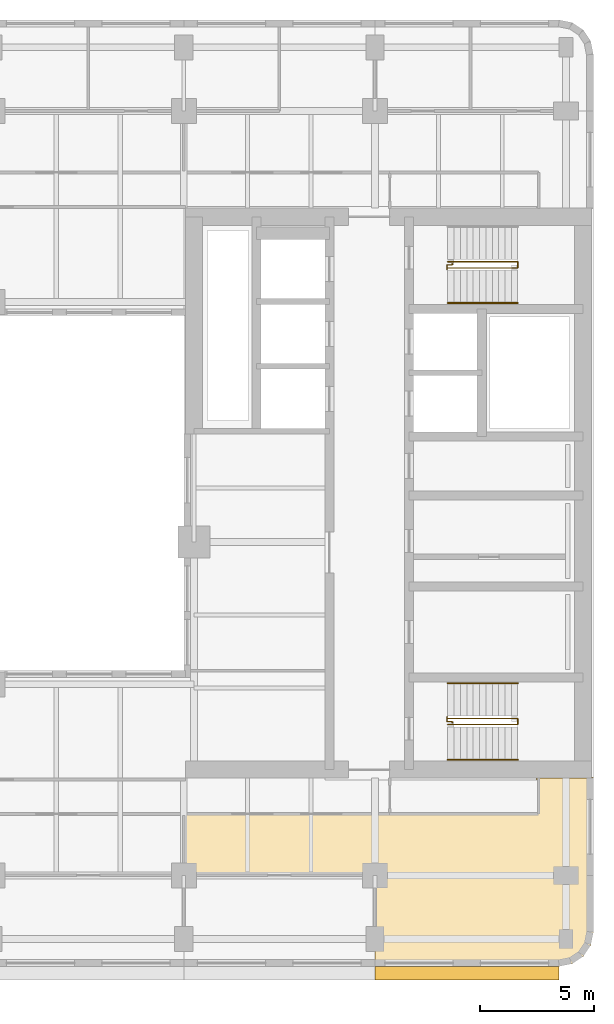
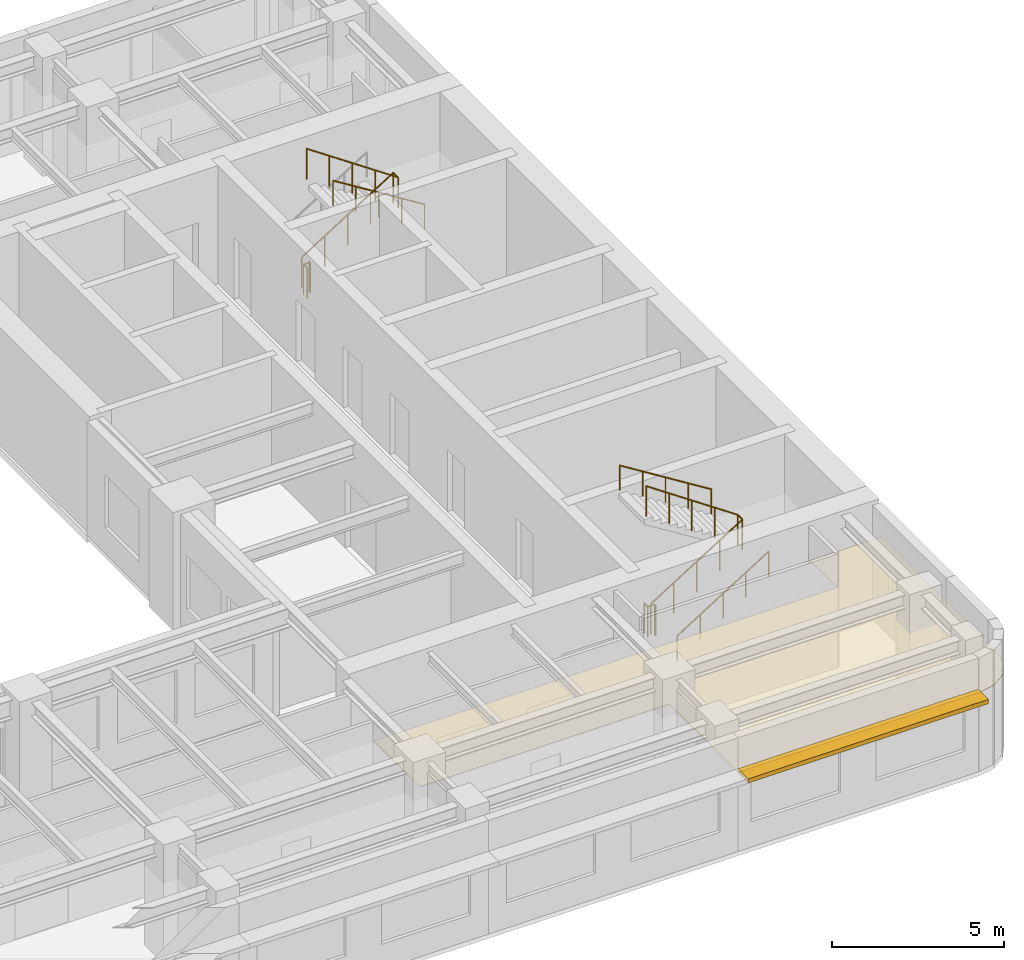
# One storey, part 10 of 11: 7 railings, 1 covering, 1 shading device.
"""IFC4 building model written with IfcOpenShell, lengths in metres."""

from ifc_helpers import new_model, si_unit, direction, frame, origin, origin_2d, place, context, subcontext, project, spatial, polyline, rectangle, circle, outline, extrude, material, layer, layer_set, type_object, element, save


model = new_model("IFC4")

# Units and contexts
model_context = context("Model", 3, precision=1e-05, world=origin(), true_north=direction((0.0, 1.0)))
body_context = subcontext(model_context, "Body", "Model", "MODEL_VIEW")
ifc_project = project(units=[si_unit("LENGTHUNIT", "METRE"), si_unit("AREAUNIT", "SQUARE_METRE"), si_unit("VOLUMEUNIT", "CUBIC_METRE"), si_unit("PLANEANGLEUNIT", "RADIAN"), si_unit("MASSUNIT", "GRAM", prefix="KILO")], contexts=[model_context])

# Site, building, storey
site_placement = place(None, origin())
site = spatial("IfcSite", under=ifc_project, at=site_placement, CompositionType="ELEMENT")
building_placement = place(site_placement, origin())
building = spatial("IfcBuilding", under=site, at=building_placement, Name="Claustro Exchange Tower", CompositionType="ELEMENT")
storey_placement = place(building_placement, frame((0.0, 0.0, 202.800048828125)))
storey = spatial("IfcBuildingStorey", under=building, at=storey_placement, Name="L46", CompositionType="ELEMENT", Elevation=202.800048828125)

# Covering
ifc_material_1 = material(Name="Gypsum board ceiling", Category="gypsum board")
ifc_layer_1 = layer(ifc_material_1, 0.02490234375)
ifc_layer_set_1 = layer_set([ifc_layer_1], Name="Gypsum board ceiling")
covering_type = type_object("IfcCoveringType", Name="CL2 plasterboard ceiling", PredefinedType="CEILING", material=ifc_layer_set_1)
covering_placement = place(storey_placement, frame((0.0, 0.0, 2.800048828125)))
element("IfcCovering", 1, at=covering_placement, inside=storey, type_object=covering_type, Name="Ceiling CL2 L46-08", PredefinedType="CEILING", context=body_context, shape_type="SweptSolid", body=[
    extrude(outline(polyline([(51.60009765625, 5.89990234375), (51.60009765625, 12.695068359375), (51.52490234375, 12.695068359375), (51.52490234375, 12.675048828125), (49.10498046875, 12.675048828125), (49.10498046875, 12.60009765625), (49.199951171875, 12.60009765625), (49.199951171875, 11.10009765625), (33.60009765625, 11.10009765625), (33.60009765625, 8.39990234375), (42.0, 8.39990234375), (42.0, 4.39990234375), (50.10009765625, 4.39990234375), (50.674072265625, 4.51416015625), (51.16064453125, 4.83935546875), (51.48583984375, 5.325927734375), (51.60009765625, 5.89990234375)])), origin(), (0.0, 0.0, 1.0), 0.02490234375),
])

# Railings
ifc_material_2 = material(Name="Steel balustrade, painted", Category="steel")
railing_type_1 = type_object("IfcRailingType", Name="GR2 1100 steel stair guard", PredefinedType="GUARDRAIL", material=ifc_material_2)
railing_1_placement = place(storey_placement, frame((45.199951171875, 15.02490234375, 0.175048828125)))
element("IfcRailing", 2, at=railing_1_placement, inside=storey, type_object=railing_type_1, Name="Stair well guard GR2 stair STEA L46", PredefinedType="GUARDRAIL", context=body_context, shape_type="SweptSolid", body=[
    extrude(circle(Radius=0.02392578125, at=origin_2d()), frame((0.0, 0.0, 1.076171875), z_axis=(0.848028513186, 0.0, 0.529950602248), x_axis=(0.0, 1.0, 0.0)), (0.0, 0.0, 1.0), 3.632080078125),
    extrude(circle(Radius=0.02392578125, at=origin_2d()), frame((3.080078125, 0.0, 3.0009765625), z_axis=(0.0, 1.0, 0.0), x_axis=(-1.0, 0.0, 0.0)), (0.0, 0.0, 1.0), 0.275146484375),
    extrude(circle(Radius=0.02392578125, at=origin_2d()), frame((3.080078125, 0.275146484375, 3.0009765625), z_axis=(-0.826221800596, 0.0, 0.563344953133), x_axis=(0.0, -1.0, 0.0)), (0.0, 0.0, 1.0), 3.72802734375),
    extrude(circle(Radius=0.02099609375, at=origin_2d()), origin(), (0.0, 0.0, 1.0), 1.052001953125),
    extrude(circle(Radius=0.02099609375, at=origin_2d()), frame((0.77001953125, 0.0, 0.481201171875)), (0.0, 0.0, 1.0), 1.052001953125),
    extrude(circle(Radius=0.02099609375, at=origin_2d()), frame((1.5400390625, 0.0, 0.96240234375)), (0.0, 0.0, 1.0), 1.052001953125),
    extrude(circle(Radius=0.02099609375, at=origin_2d()), frame((2.31005859375, 0.0, 1.443603515625)), (0.0, 0.0, 1.0), 1.052001953125),
    extrude(circle(Radius=0.02099609375, at=origin_2d()), frame((3.080078125, 0.0, 1.9248046875)), (0.0, 0.0, 1.0), 1.052001953125),
    extrude(circle(Radius=0.02099609375, at=origin_2d()), frame((3.080078125, 0.275146484375, 1.9248046875)), (0.0, 0.0, 1.0), 1.052001953125),
    extrude(circle(Radius=0.02099609375, at=origin_2d()), frame((2.31005859375, 0.275146484375, 2.44970703125)), (0.0, 0.0, 1.0), 1.052001953125),
    extrude(circle(Radius=0.02099609375, at=origin_2d()), frame((1.5400390625, 0.275146484375, 2.974853515625)), (0.0, 0.0, 1.0), 1.052001953125),
    extrude(circle(Radius=0.02099609375, at=origin_2d()), frame((0.77001953125, 0.275146484375, 3.5)), (0.0, 0.0, 1.0), 1.052001953125),
    extrude(circle(Radius=0.02099609375, at=origin_2d()), frame((0.0, 0.275146484375, 4.02490234375)), (0.0, 0.0, 1.0), 1.052001953125),
])
railing_2_placement = place(storey_placement, frame((45.39990234375, 15.094970703125, 0.0)))
element("IfcRailing", 3, at=railing_2_placement, inside=storey, type_object=railing_type_1, Name="Stair guard GR2 STEA L46", PredefinedType="GUARDRAIL", context=body_context, shape_type="SweptSolid", body=[
    extrude(circle(Radius=0.02392578125, at=origin_2d()), frame((0.0, 0.0, 1.076171875), z_axis=(0.0, 1.0, 0.0), x_axis=(-1.0, 0.0, 0.0)), (0.0, 0.0, 1.0), 0.067626953125),
    extrude(circle(Radius=0.02392578125, at=origin_2d()), frame((0.0, 0.067626953125, 1.076171875), z_axis=(-1.0, 0.0, 0.0), x_axis=(0.0, -1.0, 0.0)), (0.0, 0.0, 1.0), 0.224853515625),
    extrude(circle(Radius=0.02392578125, at=origin_2d()), frame((-0.224853515625, 0.067626953125, 1.076171875), z_axis=(0.0, 1.0, 0.0), x_axis=(-1.0, 0.0, 0.0)), (0.0, 0.0, 1.0), 0.21728515625),
    extrude(circle(Radius=0.02099609375, at=origin_2d()), origin(), (0.0, 0.0, 1.0), 1.052001953125),
    extrude(circle(Radius=0.02099609375, at=origin_2d()), frame((0.0, 0.067626953125, 0.0)), (0.0, 0.0, 1.0), 1.052001953125),
    extrude(circle(Radius=0.02099609375, at=origin_2d()), frame((-0.224853515625, 0.067626953125, 0.0)), (0.0, 0.0, 1.0), 1.052001953125),
    extrude(circle(Radius=0.02099609375, at=origin_2d()), frame((-0.224853515625, 0.284912109375, 0.0)), (0.0, 0.0, 1.0), 1.052001953125),
])
railing_3_placement = place(storey_placement, frame((45.199951171875, 35.375, 0.175048828125)))
element("IfcRailing", 4, at=railing_3_placement, inside=storey, type_object=railing_type_1, Name="Stair well guard GR2 stair STEB L46", PredefinedType="GUARDRAIL", context=body_context, shape_type="SweptSolid", body=[
    extrude(circle(Radius=0.02392578125, at=origin_2d()), frame((0.0, 0.0, 1.076171875), z_axis=(0.848028513186, 0.0, 0.529950602248), x_axis=(0.0, 1.0, 0.0)), (0.0, 0.0, 1.0), 3.632080078125),
    extrude(circle(Radius=0.02392578125, at=origin_2d()), frame((3.080078125, 0.0, 3.0009765625), z_axis=(0.0, -1.0, 0.0), x_axis=(1.0, 0.0, 0.0)), (0.0, 0.0, 1.0), 0.27490234375),
    extrude(circle(Radius=0.02392578125, at=origin_2d()), frame((3.080078125, -0.27490234375, 3.0009765625), z_axis=(-0.826221800596, 0.0, 0.563344953133), x_axis=(0.0, -1.0, 0.0)), (0.0, 0.0, 1.0), 3.72802734375),
    extrude(circle(Radius=0.02099609375, at=origin_2d()), origin(), (0.0, 0.0, 1.0), 1.052001953125),
    extrude(circle(Radius=0.02099609375, at=origin_2d()), frame((0.77001953125, 0.0, 0.481201171875)), (0.0, 0.0, 1.0), 1.052001953125),
    extrude(circle(Radius=0.02099609375, at=origin_2d()), frame((1.5400390625, 0.0, 0.96240234375)), (0.0, 0.0, 1.0), 1.052001953125),
    extrude(circle(Radius=0.02099609375, at=origin_2d()), frame((2.31005859375, 0.0, 1.443603515625)), (0.0, 0.0, 1.0), 1.052001953125),
    extrude(circle(Radius=0.02099609375, at=origin_2d()), frame((3.080078125, 0.0, 1.9248046875)), (0.0, 0.0, 1.0), 1.052001953125),
    extrude(circle(Radius=0.02099609375, at=origin_2d()), frame((3.080078125, -0.27490234375, 1.9248046875)), (0.0, 0.0, 1.0), 1.052001953125),
    extrude(circle(Radius=0.02099609375, at=origin_2d()), frame((2.31005859375, -0.27490234375, 2.44970703125)), (0.0, 0.0, 1.0), 1.052001953125),
    extrude(circle(Radius=0.02099609375, at=origin_2d()), frame((1.5400390625, -0.27490234375, 2.974853515625)), (0.0, 0.0, 1.0), 1.052001953125),
    extrude(circle(Radius=0.02099609375, at=origin_2d()), frame((0.77001953125, -0.27490234375, 3.5)), (0.0, 0.0, 1.0), 1.052001953125),
    extrude(circle(Radius=0.02099609375, at=origin_2d()), frame((0.0, -0.27490234375, 4.02490234375)), (0.0, 0.0, 1.0), 1.052001953125),
])
railing_4_placement = place(storey_placement, frame((45.39990234375, 35.304931640625, 0.0)))
element("IfcRailing", 5, at=railing_4_placement, inside=storey, type_object=railing_type_1, Name="Stair guard GR2 STEB L46", PredefinedType="GUARDRAIL", context=body_context, shape_type="SweptSolid", body=[
    extrude(circle(Radius=0.02392578125, at=origin_2d()), frame((0.0, 0.0, 1.076171875), z_axis=(0.0, -1.0, 0.0), x_axis=(1.0, 0.0, 0.0)), (0.0, 0.0, 1.0), 0.0673828125),
    extrude(circle(Radius=0.02392578125, at=origin_2d()), frame((0.0, -0.0673828125, 1.076171875), z_axis=(-1.0, 0.0, 0.0), x_axis=(0.0, -1.0, 0.0)), (0.0, 0.0, 1.0), 0.224853515625),
    extrude(circle(Radius=0.02392578125, at=origin_2d()), frame((-0.224853515625, -0.0673828125, 1.076171875), z_axis=(0.0, -1.0, 0.0), x_axis=(1.0, 0.0, 0.0)), (0.0, 0.0, 1.0), 0.217529296875),
    extrude(circle(Radius=0.02099609375, at=origin_2d()), origin(), (0.0, 0.0, 1.0), 1.052001953125),
    extrude(circle(Radius=0.02099609375, at=origin_2d()), frame((0.0, -0.0673828125, 0.0)), (0.0, 0.0, 1.0), 1.052001953125),
    extrude(circle(Radius=0.02099609375, at=origin_2d()), frame((-0.224853515625, -0.0673828125, 0.0)), (0.0, 0.0, 1.0), 1.052001953125),
    extrude(circle(Radius=0.02099609375, at=origin_2d()), frame((-0.224853515625, -0.284912109375, 0.0)), (0.0, 0.0, 1.0), 1.052001953125),
])
ifc_material_3 = material(Name="Stainless steel tube", Category="steel")
railing_type_2 = type_object("IfcRailingType", Name="HR1 900 stair handrail", PredefinedType="HANDRAIL", material=ifc_material_3)
railing_5_placement = place(storey_placement, frame((45.199951171875, 13.485107421875, 0.175048828125)))
element("IfcRailing", 6, at=railing_5_placement, inside=storey, type_object=railing_type_2, Name="Handrail HR1 stair STEA L46", PredefinedType="HANDRAIL", context=body_context, shape_type="SweptSolid", body=[
    extrude(circle(Radius=0.02392578125, at=origin_2d()), frame((0.0, 0.0, 0.8759765625), z_axis=(0.848028513186, 0.0, 0.529950602248), x_axis=(0.0, 1.0, 0.0)), (0.0, 0.0, 1.0), 3.632080078125),
    extrude(circle(Radius=0.02099609375, at=origin_2d()), origin(), (0.0, 0.0, 1.0), 0.851806640625),
    extrude(circle(Radius=0.02099609375, at=origin_2d()), frame((0.77001953125, 0.0, 0.481201171875)), (0.0, 0.0, 1.0), 0.851806640625),
    extrude(circle(Radius=0.02099609375, at=origin_2d()), frame((1.5400390625, 0.0, 0.96240234375)), (0.0, 0.0, 1.0), 0.851806640625),
    extrude(circle(Radius=0.02099609375, at=origin_2d()), frame((2.31005859375, 0.0, 1.443603515625)), (0.0, 0.0, 1.0), 0.851806640625),
    extrude(circle(Radius=0.02099609375, at=origin_2d()), frame((3.080078125, 0.0, 1.9248046875)), (0.0, 0.0, 1.0), 0.851806640625),
])
for number, where, name in (
    (7, (48.280029296875, 16.840087890625, 2.27490234375), "Handrail HR1 stair STEA L46"),
    (8, (48.280029296875, 33.56005859375, 2.27490234375), "Handrail HR1 stair STEB L46"),
):
    element("IfcRailing", number, at=place(storey_placement, frame(where)), inside=storey, type_object=railing_type_2, Name=name, PredefinedType="HANDRAIL", context=body_context, shape_type="SweptSolid", body=[
        extrude(circle(Radius=0.02392578125, at=origin_2d()), frame((0.0, 0.0, 0.8759765625), z_axis=(-0.847998304005, 0.0, 0.529998940003), x_axis=(0.0, -1.0, 0.0)), (0.0, 0.0, 1.0), 3.632080078125),
        extrude(circle(Radius=0.02099609375, at=origin_2d()), origin(), (0.0, 0.0, 1.0), 0.851806640625),
        extrude(circle(Radius=0.02099609375, at=origin_2d()), frame((-0.77001953125, 0.0, 0.481201171875)), (0.0, 0.0, 1.0), 0.851806640625),
        extrude(circle(Radius=0.02099609375, at=origin_2d()), frame((-1.5400390625, 0.0, 0.96240234375)), (0.0, 0.0, 1.0), 0.851806640625),
        extrude(circle(Radius=0.02099609375, at=origin_2d()), frame((-2.31005859375, 0.0, 1.44384765625)), (0.0, 0.0, 1.0), 0.851806640625),
        extrude(circle(Radius=0.02099609375, at=origin_2d()), frame((-3.080078125, 0.0, 1.925048828125)), (0.0, 0.0, 1.0), 0.851806640625),
    ])

# Shading device
ifc_material_4 = material(Name="Concrete HA-40 (C40/50), precast, white cement, acid-etched", Category="concrete")
ifc_layer_2 = layer(ifc_material_4, 0.14990234375)
ifc_layer_set_2 = layer_set([ifc_layer_2], Name="Concrete HA-40 (C40/50), precast, white cement, acid-etched")
shading_device_type = type_object("IfcShadingDeviceType", Name="SS1 600 precast concrete SUNSHADE", PredefinedType="SHUTTER", material=ifc_layer_set_2)
shading_device_placement = place(storey_placement, frame((46.04248046875, 4.10009765625, 2.800048828125), z_axis=(0.0, 0.0, 1.0), x_axis=(-1.0, 0.0, 0.0)))
element("IfcShadingDevice", 9, at=shading_device_placement, inside=storey, type_object=shading_device_type, Name="Precast SUNSHADE SS1 L46", PredefinedType="SHUTTER", context=body_context, shape_type="SweptSolid", body=[
    extrude(rectangle(XDim=8.085205078125, YDim=0.60009765625, at=origin_2d()), origin(), (0.0, 0.0, 1.0), 0.14990234375),
])

save(model, "model.ifc")
